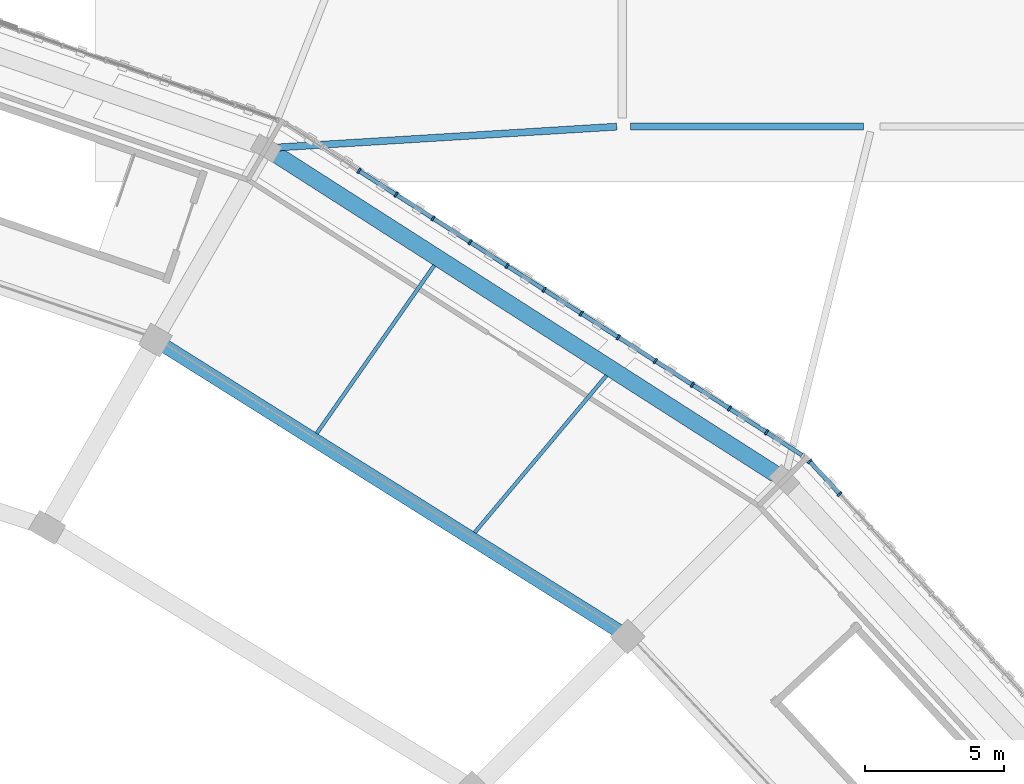
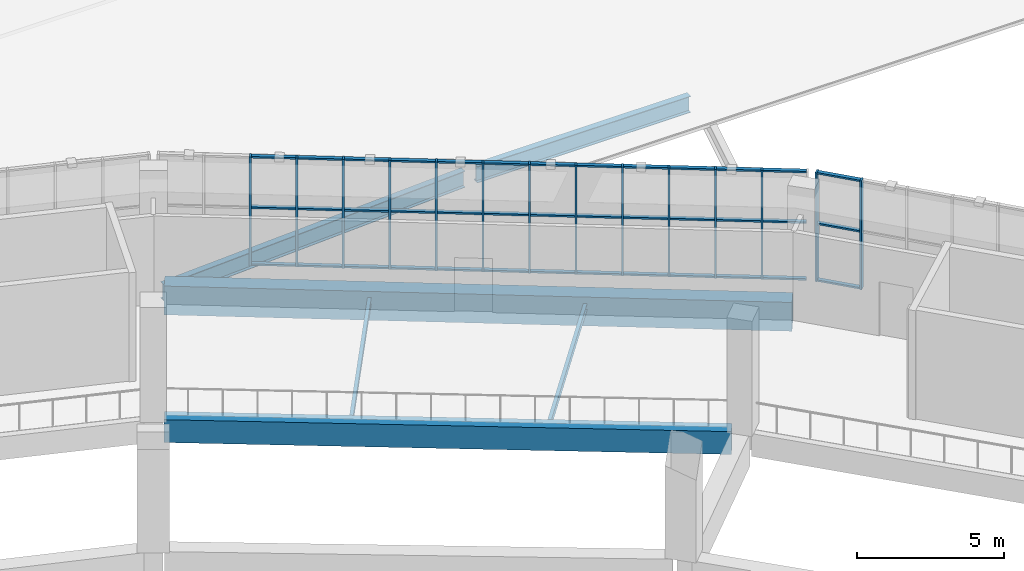
# One storey, part 45 of 108: 53 members, 6 beams, 2 elements without a shape of their own.
"""IFC4 building model written with IfcOpenShell, lengths in metres."""

from ifc_helpers import new_model, si_unit, direction, frame, origin, origin_2d, place, context, subcontext, project, spatial, rectangle, i_section, extrude, material, material_profile, profile_set, type_object, element, aggregate, save


model = new_model("IFC4")

# Units and contexts
model_context = context("Model", 3, precision=1e-05, world=origin(), true_north=direction((0.0, 1.0)))
body_context = subcontext(model_context, "Body", "Model", "MODEL_VIEW")
ifc_project = project(units=[si_unit("LENGTHUNIT", "METRE"), si_unit("AREAUNIT", "SQUARE_METRE"), si_unit("VOLUMEUNIT", "CUBIC_METRE"), si_unit("PLANEANGLEUNIT", "RADIAN"), si_unit("MASSUNIT", "GRAM", prefix="KILO")], contexts=[model_context])

# Site, building, storey
site_placement = place(None, origin())
site = spatial("IfcSite", under=ifc_project, at=site_placement, CompositionType="ELEMENT")
building_placement = place(site_placement, origin())
building = spatial("IfcBuilding", under=site, at=building_placement, Name="Zevraka Park Crest Stadium", CompositionType="ELEMENT")
storey_placement = place(building_placement, frame((0.0, 0.0, 19.800048828125)))
storey = spatial("IfcBuildingStorey", under=building, at=storey_placement, Name="L04", CompositionType="ELEMENT", Elevation=19.800048828125)

# Beams
ifc_material_1 = material(Name="Steel S355", Category="steel")
ifc_material_profile_1 = material_profile(ifc_material_1, i_section(OverallWidth=0.253662109375, OverallDepth=0.68359375, WebThickness=0.012451171875, FlangeThickness=0.01904296875, at=origin_2d()), Name="UKB 686x254x140")
ifc_profile_set_1 = profile_set([ifc_material_profile_1], Name="Steel S355")
beam_type_1 = type_object("IfcBeamType", Name="BG05", PredefinedType="BEAM", material=ifc_profile_set_1)
beam_1_placement = place(storey_placement, frame((170.300048828125, 158.0, -0.60986328125), z_axis=(1.0, 0.0, 0.0), x_axis=(0.0, 1.0, 0.0)))
element("IfcBeam", 1, at=beam_1_placement, inside=storey, type_object=beam_type_1, Name="Wing Girder BG05 L04-1920/T", PredefinedType="BEAM", context=body_context, shape_type="SweptSolid", body=[
    extrude(i_section(OverallWidth=0.253662109375, OverallDepth=0.68359375, WebThickness=0.012451171875, FlangeThickness=0.01904296875, at=origin_2d()), origin(), (0.0, 0.0, 1.0), 8.39990234375),
])
beam_2_placement = place(storey_placement, frame((169.800048828125, 157.988037109375, -0.60986328125), z_axis=(-0.998122867072, -0.061243303531, 0.0), x_axis=(0.061243303531, -0.998122867072, 0.0)))
element("IfcBeam", 2, at=beam_2_placement, inside=storey, type_object=beam_type_1, Name="Wing Link Girder BG05 L04-19/T", PredefinedType="BEAM", context=body_context, shape_type="SweptSolid", body=[
    extrude(i_section(OverallWidth=0.253662109375, OverallDepth=0.68359375, WebThickness=0.012451171875, FlangeThickness=0.01904296875, at=origin_2d()), origin(), (0.0, 0.0, 1.0), 12.294189453125),
])

# Curtain wall, members
ifc_material_2 = material(Name="Anodised architectural aluminium and laminated safety glass", Category="aluminium")
curtain_wall_type = type_object("IfcCurtainWallType", Name="CW18", PredefinedType="NOTDEFINED", material=ifc_material_2)
curtain_wall_1_placement = place(storey_placement, origin())
curtain_wall_1 = element("IfcCurtainWall", 3, at=curtain_wall_1_placement, inside=storey, type_object=curtain_wall_type, Name="Unitised Ring Curtain Wall CW18 L04-02", PredefinedType="NOTDEFINED")
ifc_material_3 = material(Name="Anodised architectural aluminium", Category="aluminium")
ifc_material_profile_2 = material_profile(ifc_material_3, rectangle(XDim=0.199951171875, YDim=0.070068359375, at=origin_2d()), Name="ALU MULLION 200x70")
ifc_profile_set_2 = profile_set([ifc_material_profile_2], Name="Anodised architectural aluminium")
member_type_1 = type_object("IfcMemberType", Name="CM03", PredefinedType="MULLION", material=ifc_profile_set_2)
member_1_placement = place(storey_placement, frame((177.83984375, 144.734130859375, 0.0), z_axis=(0.0, 0.0, 1.0), x_axis=(-0.736774619932, -0.676138417355, 0.0)))
member_1 = element("IfcMember", 4, at=member_1_placement, type_object=member_type_1, Name="CW18 mullion 13", PredefinedType="MULLION", context=body_context, shape_type="SweptSolid", body=[
    extrude(rectangle(XDim=0.199951171875, YDim=0.070068359375, at=origin_2d()), origin(), (0.0, 0.0, 1.0), 4.5400390625),
])
member_2_placement = place(storey_placement, frame((176.759765625, 145.9111328125, 0.0), z_axis=(0.0, 0.0, 1.0), x_axis=(-0.736774619932, -0.676138417355, 0.0)))
member_2 = element("IfcMember", 5, at=member_2_placement, type_object=member_type_1, Name="CW18 mullion 14", PredefinedType="MULLION", context=body_context, shape_type="SweptSolid", body=[
    extrude(rectangle(XDim=0.199951171875, YDim=0.070068359375, at=origin_2d()), origin(), (0.0, 0.0, 1.0), 4.5400390625),
])

curtain_wall_2_placement = place(storey_placement, origin())
curtain_wall_2 = element("IfcCurtainWall", 6, at=curtain_wall_2_placement, inside=storey, type_object=curtain_wall_type, Name="Unitised Ring Curtain Wall CW18 L04-03", PredefinedType="NOTDEFINED")
member_3_placement = place(storey_placement, frame((175.202392578125, 146.95947265625, 0.0), z_axis=(0.0, 0.0, 1.0), x_axis=(-0.539979944029, -0.841677883781, 0.0)))
member_3 = element("IfcMember", 7, at=member_3_placement, type_object=member_type_1, Name="CW18 mullion 2", PredefinedType="MULLION", context=body_context, shape_type="SweptSolid", body=[
    extrude(rectangle(XDim=0.199951171875, YDim=0.070068359375, at=origin_2d()), origin(), (0.0, 0.0, 1.0), 4.5400390625),
])
member_4_placement = place(storey_placement, frame((173.865478515625, 147.817138671875, 0.0), z_axis=(0.0, 0.0, 1.0), x_axis=(-0.539979944029, -0.841677883781, 0.0)))
member_4 = element("IfcMember", 8, at=member_4_placement, type_object=member_type_1, Name="CW18 mullion 3", PredefinedType="MULLION", context=body_context, shape_type="SweptSolid", body=[
    extrude(rectangle(XDim=0.199951171875, YDim=0.070068359375, at=origin_2d()), origin(), (0.0, 0.0, 1.0), 4.5400390625),
])
member_5_placement = place(storey_placement, frame((172.52880859375, 148.6748046875, 0.0), z_axis=(0.0, 0.0, 1.0), x_axis=(-0.539979944029, -0.841677883781, 0.0)))
member_5 = element("IfcMember", 9, at=member_5_placement, type_object=member_type_1, Name="CW18 mullion 4", PredefinedType="MULLION", context=body_context, shape_type="SweptSolid", body=[
    extrude(rectangle(XDim=0.199951171875, YDim=0.070068359375, at=origin_2d()), origin(), (0.0, 0.0, 1.0), 4.5400390625),
])
member_6_placement = place(storey_placement, frame((171.192138671875, 149.5322265625, 0.0), z_axis=(0.0, 0.0, 1.0), x_axis=(-0.539979944029, -0.841677883781, 0.0)))
member_6 = element("IfcMember", 10, at=member_6_placement, type_object=member_type_1, Name="CW18 mullion 5", PredefinedType="MULLION", context=body_context, shape_type="SweptSolid", body=[
    extrude(rectangle(XDim=0.199951171875, YDim=0.070068359375, at=origin_2d()), origin(), (0.0, 0.0, 1.0), 4.5400390625),
])
member_7_placement = place(storey_placement, frame((169.85546875, 150.389892578125, 0.0), z_axis=(0.0, 0.0, 1.0), x_axis=(-0.539979944029, -0.841677883781, 0.0)))
member_7 = element("IfcMember", 11, at=member_7_placement, type_object=member_type_1, Name="CW18 mullion 6", PredefinedType="MULLION", context=body_context, shape_type="SweptSolid", body=[
    extrude(rectangle(XDim=0.199951171875, YDim=0.070068359375, at=origin_2d()), origin(), (0.0, 0.0, 1.0), 4.5400390625),
])
member_8_placement = place(storey_placement, frame((168.518798828125, 151.247314453125, 0.0), z_axis=(0.0, 0.0, 1.0), x_axis=(-0.539979944029, -0.841677883781, 0.0)))
member_8 = element("IfcMember", 12, at=member_8_placement, type_object=member_type_1, Name="CW18 mullion 7", PredefinedType="MULLION", context=body_context, shape_type="SweptSolid", body=[
    extrude(rectangle(XDim=0.199951171875, YDim=0.070068359375, at=origin_2d()), origin(), (0.0, 0.0, 1.0), 4.5400390625),
])
member_9_placement = place(storey_placement, frame((167.181884765625, 152.10498046875, 0.0), z_axis=(0.0, 0.0, 1.0), x_axis=(-0.539979944029, -0.841677883781, 0.0)))
member_9 = element("IfcMember", 13, at=member_9_placement, type_object=member_type_1, Name="CW18 mullion 8", PredefinedType="MULLION", context=body_context, shape_type="SweptSolid", body=[
    extrude(rectangle(XDim=0.199951171875, YDim=0.070068359375, at=origin_2d()), origin(), (0.0, 0.0, 1.0), 4.5400390625),
])
member_10_placement = place(storey_placement, frame((165.84521484375, 152.962646484375, 0.0), z_axis=(0.0, 0.0, 1.0), x_axis=(-0.539979944029, -0.841677883781, 0.0)))
member_10 = element("IfcMember", 14, at=member_10_placement, type_object=member_type_1, Name="CW18 mullion 9", PredefinedType="MULLION", context=body_context, shape_type="SweptSolid", body=[
    extrude(rectangle(XDim=0.199951171875, YDim=0.070068359375, at=origin_2d()), origin(), (0.0, 0.0, 1.0), 4.5400390625),
])
member_11_placement = place(storey_placement, frame((164.508544921875, 153.820068359375, 0.0), z_axis=(0.0, 0.0, 1.0), x_axis=(-0.539979944029, -0.841677883781, 0.0)))
member_11 = element("IfcMember", 15, at=member_11_placement, type_object=member_type_1, Name="CW18 mullion 10", PredefinedType="MULLION", context=body_context, shape_type="SweptSolid", body=[
    extrude(rectangle(XDim=0.199951171875, YDim=0.070068359375, at=origin_2d()), origin(), (0.0, 0.0, 1.0), 4.5400390625),
])
member_12_placement = place(storey_placement, frame((163.171875, 154.677734375, 0.0), z_axis=(0.0, 0.0, 1.0), x_axis=(-0.539979944029, -0.841677883781, 0.0)))
member_12 = element("IfcMember", 16, at=member_12_placement, type_object=member_type_1, Name="CW18 mullion 11", PredefinedType="MULLION", context=body_context, shape_type="SweptSolid", body=[
    extrude(rectangle(XDim=0.199951171875, YDim=0.070068359375, at=origin_2d()), origin(), (0.0, 0.0, 1.0), 4.5400390625),
])
member_13_placement = place(storey_placement, frame((161.835205078125, 155.535400390625, 0.0), z_axis=(0.0, 0.0, 1.0), x_axis=(-0.539979944029, -0.841677883781, 0.0)))
member_13 = element("IfcMember", 17, at=member_13_placement, type_object=member_type_1, Name="CW18 mullion 12", PredefinedType="MULLION", context=body_context, shape_type="SweptSolid", body=[
    extrude(rectangle(XDim=0.199951171875, YDim=0.070068359375, at=origin_2d()), origin(), (0.0, 0.0, 1.0), 4.5400390625),
])
member_14_placement = place(storey_placement, frame((160.49853515625, 156.392822265625, 0.0), z_axis=(0.0, 0.0, 1.0), x_axis=(-0.539979944029, -0.841677883781, 0.0)))
member_14 = element("IfcMember", 18, at=member_14_placement, type_object=member_type_1, Name="CW18 mullion 13", PredefinedType="MULLION", context=body_context, shape_type="SweptSolid", body=[
    extrude(rectangle(XDim=0.199951171875, YDim=0.070068359375, at=origin_2d()), origin(), (0.0, 0.0, 1.0), 4.5400390625),
])

# Member
ifc_material_4 = material(Name="Anodised architectural aluminium", Category="aluminium")
ifc_material_profile_3 = material_profile(ifc_material_4, rectangle(XDim=0.14990234375, YDim=0.070068359375, at=origin_2d()), Name="ALU TRANSOM 150x70")
ifc_profile_set_3 = profile_set([ifc_material_profile_3], Name="Anodised architectural aluminium")
member_type_2 = type_object("IfcMemberType", Name="CT03", PredefinedType="USERDEFINED", material=ifc_profile_set_3)
member_15_placement = place(storey_placement, frame((177.816162109375, 144.759765625, 0.034912109375), z_axis=(-0.67600681387, 0.736895370864, 0.0), x_axis=(-0.736895370864, -0.67600681387, 0.0)))
member_15 = element("IfcMember", 19, at=member_15_placement, type_object=member_type_2, Name="CW18 transom 13.1", ObjectType="TRANSOM", PredefinedType="USERDEFINED", context=body_context, shape_type="SweptSolid", body=[
    extrude(rectangle(XDim=0.14990234375, YDim=0.070068359375, at=origin_2d()), origin(), (0.0, 0.0, 1.0), 1.527587890625),
])

member_16_placement = place(storey_placement, frame((177.816162109375, 144.759765625, 2.39990234375), z_axis=(-0.67600681387, 0.736895370864, 0.0), x_axis=(-0.736895370864, -0.67600681387, 0.0)))
member_16 = element("IfcMember", 20, at=member_16_placement, type_object=member_type_2, Name="CW18 transom 13.2", ObjectType="TRANSOM", PredefinedType="USERDEFINED", context=body_context, shape_type="SweptSolid", body=[
    extrude(rectangle(XDim=0.14990234375, YDim=0.070068359375, at=origin_2d()), origin(), (0.0, 0.0, 1.0), 1.527587890625),
])

member_17_placement = place(storey_placement, frame((177.816162109375, 144.759765625, 4.5048828125), z_axis=(-0.67600681387, 0.736895370864, 0.0), x_axis=(-0.736895370864, -0.67600681387, 0.0)))
member_17 = element("IfcMember", 21, at=member_17_placement, type_object=member_type_2, Name="CW18 transom 13.3", ObjectType="TRANSOM", PredefinedType="USERDEFINED", context=body_context, shape_type="SweptSolid", body=[
    extrude(rectangle(XDim=0.14990234375, YDim=0.070068359375, at=origin_2d()), origin(), (0.0, 0.0, 1.0), 1.527587890625),
])

aggregate(curtain_wall_1, [member_1, member_2, member_15, member_16, member_17])

member_18_placement = place(storey_placement, frame((176.47998046875, 146.139892578125, 0.034912109375), z_axis=(-0.84169690548, 0.539950293365, 0.0), x_axis=(-0.539950293365, -0.84169690548, 0.0)))
member_18 = element("IfcMember", 22, at=member_18_placement, type_object=member_type_2, Name="CW18 transom 1.1", ObjectType="TRANSOM", PredefinedType="USERDEFINED", context=body_context, shape_type="SweptSolid", body=[
    extrude(rectangle(XDim=0.14990234375, YDim=0.070068359375, at=origin_2d()), origin(), (0.0, 0.0, 1.0), 1.483154296875),
])

member_19_placement = place(storey_placement, frame((176.47998046875, 146.139892578125, 2.39990234375), z_axis=(-0.84169690548, 0.539950293365, 0.0), x_axis=(-0.539950293365, -0.84169690548, 0.0)))
member_19 = element("IfcMember", 23, at=member_19_placement, type_object=member_type_2, Name="CW18 transom 1.2", ObjectType="TRANSOM", PredefinedType="USERDEFINED", context=body_context, shape_type="SweptSolid", body=[
    extrude(rectangle(XDim=0.14990234375, YDim=0.070068359375, at=origin_2d()), origin(), (0.0, 0.0, 1.0), 1.483154296875),
])

member_20_placement = place(storey_placement, frame((176.47998046875, 146.139892578125, 4.5048828125), z_axis=(-0.84169690548, 0.539950293365, 0.0), x_axis=(-0.539950293365, -0.84169690548, 0.0)))
member_20 = element("IfcMember", 24, at=member_20_placement, type_object=member_type_2, Name="CW18 transom 1.3", ObjectType="TRANSOM", PredefinedType="USERDEFINED", context=body_context, shape_type="SweptSolid", body=[
    extrude(rectangle(XDim=0.14990234375, YDim=0.070068359375, at=origin_2d()), origin(), (0.0, 0.0, 1.0), 1.483154296875),
])

member_21_placement = place(storey_placement, frame((175.1728515625, 146.978515625, 0.034912109375), z_axis=(-0.841669260565, 0.539993384978, 0.0), x_axis=(-0.539993384978, -0.841669260565, 0.0)))
member_21 = element("IfcMember", 25, at=member_21_placement, type_object=member_type_2, Name="CW18 transom 2.1", ObjectType="TRANSOM", PredefinedType="USERDEFINED", context=body_context, shape_type="SweptSolid", body=[
    extrude(rectangle(XDim=0.14990234375, YDim=0.070068359375, at=origin_2d()), origin(), (0.0, 0.0, 1.0), 1.518310546875),
])

member_22_placement = place(storey_placement, frame((175.1728515625, 146.978515625, 2.39990234375), z_axis=(-0.841669260565, 0.539993384978, 0.0), x_axis=(-0.539993384978, -0.841669260565, 0.0)))
member_22 = element("IfcMember", 26, at=member_22_placement, type_object=member_type_2, Name="CW18 transom 2.2", ObjectType="TRANSOM", PredefinedType="USERDEFINED", context=body_context, shape_type="SweptSolid", body=[
    extrude(rectangle(XDim=0.14990234375, YDim=0.070068359375, at=origin_2d()), origin(), (0.0, 0.0, 1.0), 1.518310546875),
])

member_23_placement = place(storey_placement, frame((175.1728515625, 146.978515625, 4.5048828125), z_axis=(-0.841669260565, 0.539993384978, 0.0), x_axis=(-0.539993384978, -0.841669260565, 0.0)))
member_23 = element("IfcMember", 27, at=member_23_placement, type_object=member_type_2, Name="CW18 transom 2.3", ObjectType="TRANSOM", PredefinedType="USERDEFINED", context=body_context, shape_type="SweptSolid", body=[
    extrude(rectangle(XDim=0.14990234375, YDim=0.070068359375, at=origin_2d()), origin(), (0.0, 0.0, 1.0), 1.518310546875),
])

member_24_placement = place(storey_placement, frame((173.836181640625, 147.8359375, 0.034912109375), z_axis=(-0.841669260565, 0.539993384978, 0.0), x_axis=(-0.539993384978, -0.841669260565, 0.0)))
member_24 = element("IfcMember", 28, at=member_24_placement, type_object=member_type_2, Name="CW18 transom 3.1", ObjectType="TRANSOM", PredefinedType="USERDEFINED", context=body_context, shape_type="SweptSolid", body=[
    extrude(rectangle(XDim=0.14990234375, YDim=0.070068359375, at=origin_2d()), origin(), (0.0, 0.0, 1.0), 1.518310546875),
])

member_25_placement = place(storey_placement, frame((173.836181640625, 147.8359375, 2.39990234375), z_axis=(-0.841669260565, 0.539993384978, 0.0), x_axis=(-0.539993384978, -0.841669260565, 0.0)))
member_25 = element("IfcMember", 29, at=member_25_placement, type_object=member_type_2, Name="CW18 transom 3.2", ObjectType="TRANSOM", PredefinedType="USERDEFINED", context=body_context, shape_type="SweptSolid", body=[
    extrude(rectangle(XDim=0.14990234375, YDim=0.070068359375, at=origin_2d()), origin(), (0.0, 0.0, 1.0), 1.518310546875),
])

member_26_placement = place(storey_placement, frame((173.836181640625, 147.8359375, 4.5048828125), z_axis=(-0.841669260565, 0.539993384978, 0.0), x_axis=(-0.539993384978, -0.841669260565, 0.0)))
member_26 = element("IfcMember", 30, at=member_26_placement, type_object=member_type_2, Name="CW18 transom 3.3", ObjectType="TRANSOM", PredefinedType="USERDEFINED", context=body_context, shape_type="SweptSolid", body=[
    extrude(rectangle(XDim=0.14990234375, YDim=0.070068359375, at=origin_2d()), origin(), (0.0, 0.0, 1.0), 1.518310546875),
])

member_27_placement = place(storey_placement, frame((172.49951171875, 148.693603515625, 0.034912109375), z_axis=(-0.841669260565, 0.539993384978, 0.0), x_axis=(-0.539993384978, -0.841669260565, 0.0)))
member_27 = element("IfcMember", 31, at=member_27_placement, type_object=member_type_2, Name="CW18 transom 4.1", ObjectType="TRANSOM", PredefinedType="USERDEFINED", context=body_context, shape_type="SweptSolid", body=[
    extrude(rectangle(XDim=0.14990234375, YDim=0.070068359375, at=origin_2d()), origin(), (0.0, 0.0, 1.0), 1.518310546875),
])

member_28_placement = place(storey_placement, frame((172.49951171875, 148.693603515625, 2.39990234375), z_axis=(-0.841669260565, 0.539993384978, 0.0), x_axis=(-0.539993384978, -0.841669260565, 0.0)))
member_28 = element("IfcMember", 32, at=member_28_placement, type_object=member_type_2, Name="CW18 transom 4.2", ObjectType="TRANSOM", PredefinedType="USERDEFINED", context=body_context, shape_type="SweptSolid", body=[
    extrude(rectangle(XDim=0.14990234375, YDim=0.070068359375, at=origin_2d()), origin(), (0.0, 0.0, 1.0), 1.518310546875),
])

member_29_placement = place(storey_placement, frame((172.49951171875, 148.693603515625, 4.5048828125), z_axis=(-0.841669260565, 0.539993384978, 0.0), x_axis=(-0.539993384978, -0.841669260565, 0.0)))
member_29 = element("IfcMember", 33, at=member_29_placement, type_object=member_type_2, Name="CW18 transom 4.3", ObjectType="TRANSOM", PredefinedType="USERDEFINED", context=body_context, shape_type="SweptSolid", body=[
    extrude(rectangle(XDim=0.14990234375, YDim=0.070068359375, at=origin_2d()), origin(), (0.0, 0.0, 1.0), 1.518310546875),
])

member_30_placement = place(storey_placement, frame((171.16259765625, 149.55126953125, 0.034912109375), z_axis=(-0.841742345783, 0.539879452578, 0.0), x_axis=(-0.539879452578, -0.841742345783, 0.0)))
member_30 = element("IfcMember", 34, at=member_30_placement, type_object=member_type_2, Name="CW18 transom 5.1", ObjectType="TRANSOM", PredefinedType="USERDEFINED", context=body_context, shape_type="SweptSolid", body=[
    extrude(rectangle(XDim=0.14990234375, YDim=0.070068359375, at=origin_2d()), origin(), (0.0, 0.0, 1.0), 1.51806640625),
])

member_31_placement = place(storey_placement, frame((171.16259765625, 149.55126953125, 2.39990234375), z_axis=(-0.841742345783, 0.539879452578, 0.0), x_axis=(-0.539879452578, -0.841742345783, 0.0)))
member_31 = element("IfcMember", 35, at=member_31_placement, type_object=member_type_2, Name="CW18 transom 5.2", ObjectType="TRANSOM", PredefinedType="USERDEFINED", context=body_context, shape_type="SweptSolid", body=[
    extrude(rectangle(XDim=0.14990234375, YDim=0.070068359375, at=origin_2d()), origin(), (0.0, 0.0, 1.0), 1.51806640625),
])

member_32_placement = place(storey_placement, frame((171.16259765625, 149.55126953125, 4.5048828125), z_axis=(-0.841742345783, 0.539879452578, 0.0), x_axis=(-0.539879452578, -0.841742345783, 0.0)))
member_32 = element("IfcMember", 36, at=member_32_placement, type_object=member_type_2, Name="CW18 transom 5.3", ObjectType="TRANSOM", PredefinedType="USERDEFINED", context=body_context, shape_type="SweptSolid", body=[
    extrude(rectangle(XDim=0.14990234375, YDim=0.070068359375, at=origin_2d()), origin(), (0.0, 0.0, 1.0), 1.51806640625),
])

member_33_placement = place(storey_placement, frame((169.825927734375, 150.40869140625, 0.034912109375), z_axis=(-0.841669260565, 0.539993384978, 0.0), x_axis=(-0.539993384978, -0.841669260565, 0.0)))
member_33 = element("IfcMember", 37, at=member_33_placement, type_object=member_type_2, Name="CW18 transom 6.1", ObjectType="TRANSOM", PredefinedType="USERDEFINED", context=body_context, shape_type="SweptSolid", body=[
    extrude(rectangle(XDim=0.14990234375, YDim=0.070068359375, at=origin_2d()), origin(), (0.0, 0.0, 1.0), 1.518310546875),
])

member_34_placement = place(storey_placement, frame((169.825927734375, 150.40869140625, 2.39990234375), z_axis=(-0.841669260565, 0.539993384978, 0.0), x_axis=(-0.539993384978, -0.841669260565, 0.0)))
member_34 = element("IfcMember", 38, at=member_34_placement, type_object=member_type_2, Name="CW18 transom 6.2", ObjectType="TRANSOM", PredefinedType="USERDEFINED", context=body_context, shape_type="SweptSolid", body=[
    extrude(rectangle(XDim=0.14990234375, YDim=0.070068359375, at=origin_2d()), origin(), (0.0, 0.0, 1.0), 1.518310546875),
])

member_35_placement = place(storey_placement, frame((169.825927734375, 150.40869140625, 4.5048828125), z_axis=(-0.841669260565, 0.539993384978, 0.0), x_axis=(-0.539993384978, -0.841669260565, 0.0)))
member_35 = element("IfcMember", 39, at=member_35_placement, type_object=member_type_2, Name="CW18 transom 6.3", ObjectType="TRANSOM", PredefinedType="USERDEFINED", context=body_context, shape_type="SweptSolid", body=[
    extrude(rectangle(XDim=0.14990234375, YDim=0.070068359375, at=origin_2d()), origin(), (0.0, 0.0, 1.0), 1.518310546875),
])

member_36_placement = place(storey_placement, frame((168.4892578125, 151.266357421875, 0.034912109375), z_axis=(-0.841669260565, 0.539993384978, 0.0), x_axis=(-0.539993384978, -0.841669260565, 0.0)))
member_36 = element("IfcMember", 40, at=member_36_placement, type_object=member_type_2, Name="CW18 transom 7.1", ObjectType="TRANSOM", PredefinedType="USERDEFINED", context=body_context, shape_type="SweptSolid", body=[
    extrude(rectangle(XDim=0.14990234375, YDim=0.070068359375, at=origin_2d()), origin(), (0.0, 0.0, 1.0), 1.518310546875),
])

member_37_placement = place(storey_placement, frame((168.4892578125, 151.266357421875, 2.39990234375), z_axis=(-0.841669260565, 0.539993384978, 0.0), x_axis=(-0.539993384978, -0.841669260565, 0.0)))
member_37 = element("IfcMember", 41, at=member_37_placement, type_object=member_type_2, Name="CW18 transom 7.2", ObjectType="TRANSOM", PredefinedType="USERDEFINED", context=body_context, shape_type="SweptSolid", body=[
    extrude(rectangle(XDim=0.14990234375, YDim=0.070068359375, at=origin_2d()), origin(), (0.0, 0.0, 1.0), 1.518310546875),
])

member_38_placement = place(storey_placement, frame((168.4892578125, 151.266357421875, 4.5048828125), z_axis=(-0.841669260565, 0.539993384978, 0.0), x_axis=(-0.539993384978, -0.841669260565, 0.0)))
member_38 = element("IfcMember", 42, at=member_38_placement, type_object=member_type_2, Name="CW18 transom 7.3", ObjectType="TRANSOM", PredefinedType="USERDEFINED", context=body_context, shape_type="SweptSolid", body=[
    extrude(rectangle(XDim=0.14990234375, YDim=0.070068359375, at=origin_2d()), origin(), (0.0, 0.0, 1.0), 1.518310546875),
])

member_39_placement = place(storey_placement, frame((167.152587890625, 152.123779296875, 0.034912109375), z_axis=(-0.841669260565, 0.539993384978, 0.0), x_axis=(-0.539993384978, -0.841669260565, 0.0)))
member_39 = element("IfcMember", 43, at=member_39_placement, type_object=member_type_2, Name="CW18 transom 8.1", ObjectType="TRANSOM", PredefinedType="USERDEFINED", context=body_context, shape_type="SweptSolid", body=[
    extrude(rectangle(XDim=0.14990234375, YDim=0.070068359375, at=origin_2d()), origin(), (0.0, 0.0, 1.0), 1.518310546875),
])

member_40_placement = place(storey_placement, frame((167.152587890625, 152.123779296875, 2.39990234375), z_axis=(-0.841669260565, 0.539993384978, 0.0), x_axis=(-0.539993384978, -0.841669260565, 0.0)))
member_40 = element("IfcMember", 44, at=member_40_placement, type_object=member_type_2, Name="CW18 transom 8.2", ObjectType="TRANSOM", PredefinedType="USERDEFINED", context=body_context, shape_type="SweptSolid", body=[
    extrude(rectangle(XDim=0.14990234375, YDim=0.070068359375, at=origin_2d()), origin(), (0.0, 0.0, 1.0), 1.518310546875),
])

member_41_placement = place(storey_placement, frame((167.152587890625, 152.123779296875, 4.5048828125), z_axis=(-0.841669260565, 0.539993384978, 0.0), x_axis=(-0.539993384978, -0.841669260565, 0.0)))
member_41 = element("IfcMember", 45, at=member_41_placement, type_object=member_type_2, Name="CW18 transom 8.3", ObjectType="TRANSOM", PredefinedType="USERDEFINED", context=body_context, shape_type="SweptSolid", body=[
    extrude(rectangle(XDim=0.14990234375, YDim=0.070068359375, at=origin_2d()), origin(), (0.0, 0.0, 1.0), 1.518310546875),
])

member_42_placement = place(storey_placement, frame((165.81591796875, 152.9814453125, 0.034912109375), z_axis=(-0.841669260565, 0.539993384978, 0.0), x_axis=(-0.539993384978, -0.841669260565, 0.0)))
member_42 = element("IfcMember", 46, at=member_42_placement, type_object=member_type_2, Name="CW18 transom 9.1", ObjectType="TRANSOM", PredefinedType="USERDEFINED", context=body_context, shape_type="SweptSolid", body=[
    extrude(rectangle(XDim=0.14990234375, YDim=0.070068359375, at=origin_2d()), origin(), (0.0, 0.0, 1.0), 1.518310546875),
])

member_43_placement = place(storey_placement, frame((165.81591796875, 152.9814453125, 2.39990234375), z_axis=(-0.841669260565, 0.539993384978, 0.0), x_axis=(-0.539993384978, -0.841669260565, 0.0)))
member_43 = element("IfcMember", 47, at=member_43_placement, type_object=member_type_2, Name="CW18 transom 9.2", ObjectType="TRANSOM", PredefinedType="USERDEFINED", context=body_context, shape_type="SweptSolid", body=[
    extrude(rectangle(XDim=0.14990234375, YDim=0.070068359375, at=origin_2d()), origin(), (0.0, 0.0, 1.0), 1.518310546875),
])

member_44_placement = place(storey_placement, frame((165.81591796875, 152.9814453125, 4.5048828125), z_axis=(-0.841669260565, 0.539993384978, 0.0), x_axis=(-0.539993384978, -0.841669260565, 0.0)))
member_44 = element("IfcMember", 48, at=member_44_placement, type_object=member_type_2, Name="CW18 transom 9.3", ObjectType="TRANSOM", PredefinedType="USERDEFINED", context=body_context, shape_type="SweptSolid", body=[
    extrude(rectangle(XDim=0.14990234375, YDim=0.070068359375, at=origin_2d()), origin(), (0.0, 0.0, 1.0), 1.518310546875),
])

member_45_placement = place(storey_placement, frame((164.47900390625, 153.839111328125, 0.034912109375), z_axis=(-0.841622360569, 0.540066479417, 0.0), x_axis=(-0.540066479417, -0.841622360569, 0.0)))
member_45 = element("IfcMember", 49, at=member_45_placement, type_object=member_type_2, Name="CW18 transom 10.1", ObjectType="TRANSOM", PredefinedType="USERDEFINED", context=body_context, shape_type="SweptSolid", body=[
    extrude(rectangle(XDim=0.14990234375, YDim=0.070068359375, at=origin_2d()), origin(), (0.0, 0.0, 1.0), 1.51806640625),
])

member_46_placement = place(storey_placement, frame((164.47900390625, 153.839111328125, 2.39990234375), z_axis=(-0.841622360569, 0.540066479417, 0.0), x_axis=(-0.540066479417, -0.841622360569, 0.0)))
member_46 = element("IfcMember", 50, at=member_46_placement, type_object=member_type_2, Name="CW18 transom 10.2", ObjectType="TRANSOM", PredefinedType="USERDEFINED", context=body_context, shape_type="SweptSolid", body=[
    extrude(rectangle(XDim=0.14990234375, YDim=0.070068359375, at=origin_2d()), origin(), (0.0, 0.0, 1.0), 1.51806640625),
])

member_47_placement = place(storey_placement, frame((164.47900390625, 153.839111328125, 4.5048828125), z_axis=(-0.841622360569, 0.540066479417, 0.0), x_axis=(-0.540066479417, -0.841622360569, 0.0)))
member_47 = element("IfcMember", 51, at=member_47_placement, type_object=member_type_2, Name="CW18 transom 10.3", ObjectType="TRANSOM", PredefinedType="USERDEFINED", context=body_context, shape_type="SweptSolid", body=[
    extrude(rectangle(XDim=0.14990234375, YDim=0.070068359375, at=origin_2d()), origin(), (0.0, 0.0, 1.0), 1.51806640625),
])

member_48_placement = place(storey_placement, frame((163.142333984375, 154.696533203125, 0.034912109375), z_axis=(-0.841669260565, 0.539993384978, 0.0), x_axis=(-0.539993384978, -0.841669260565, 0.0)))
member_48 = element("IfcMember", 52, at=member_48_placement, type_object=member_type_2, Name="CW18 transom 11.1", ObjectType="TRANSOM", PredefinedType="USERDEFINED", context=body_context, shape_type="SweptSolid", body=[
    extrude(rectangle(XDim=0.14990234375, YDim=0.070068359375, at=origin_2d()), origin(), (0.0, 0.0, 1.0), 1.518310546875),
])

member_49_placement = place(storey_placement, frame((163.142333984375, 154.696533203125, 2.39990234375), z_axis=(-0.841669260565, 0.539993384978, 0.0), x_axis=(-0.539993384978, -0.841669260565, 0.0)))
member_49 = element("IfcMember", 53, at=member_49_placement, type_object=member_type_2, Name="CW18 transom 11.2", ObjectType="TRANSOM", PredefinedType="USERDEFINED", context=body_context, shape_type="SweptSolid", body=[
    extrude(rectangle(XDim=0.14990234375, YDim=0.070068359375, at=origin_2d()), origin(), (0.0, 0.0, 1.0), 1.518310546875),
])

member_50_placement = place(storey_placement, frame((163.142333984375, 154.696533203125, 4.5048828125), z_axis=(-0.841669260565, 0.539993384978, 0.0), x_axis=(-0.539993384978, -0.841669260565, 0.0)))
member_50 = element("IfcMember", 54, at=member_50_placement, type_object=member_type_2, Name="CW18 transom 11.3", ObjectType="TRANSOM", PredefinedType="USERDEFINED", context=body_context, shape_type="SweptSolid", body=[
    extrude(rectangle(XDim=0.14990234375, YDim=0.070068359375, at=origin_2d()), origin(), (0.0, 0.0, 1.0), 1.518310546875),
])

member_51_placement = place(storey_placement, frame((161.8056640625, 155.55419921875, 0.034912109375), z_axis=(-0.841669260565, 0.539993384978, 0.0), x_axis=(-0.539993384978, -0.841669260565, 0.0)))
member_51 = element("IfcMember", 55, at=member_51_placement, type_object=member_type_2, Name="CW18 transom 12.1", ObjectType="TRANSOM", PredefinedType="USERDEFINED", context=body_context, shape_type="SweptSolid", body=[
    extrude(rectangle(XDim=0.14990234375, YDim=0.070068359375, at=origin_2d()), origin(), (0.0, 0.0, 1.0), 1.518310546875),
])

member_52_placement = place(storey_placement, frame((161.8056640625, 155.55419921875, 2.39990234375), z_axis=(-0.841669260565, 0.539993384978, 0.0), x_axis=(-0.539993384978, -0.841669260565, 0.0)))
member_52 = element("IfcMember", 56, at=member_52_placement, type_object=member_type_2, Name="CW18 transom 12.2", ObjectType="TRANSOM", PredefinedType="USERDEFINED", context=body_context, shape_type="SweptSolid", body=[
    extrude(rectangle(XDim=0.14990234375, YDim=0.070068359375, at=origin_2d()), origin(), (0.0, 0.0, 1.0), 1.518310546875),
])

member_53_placement = place(storey_placement, frame((161.8056640625, 155.55419921875, 4.5048828125), z_axis=(-0.841669260565, 0.539993384978, 0.0), x_axis=(-0.539993384978, -0.841669260565, 0.0)))
member_53 = element("IfcMember", 57, at=member_53_placement, type_object=member_type_2, Name="CW18 transom 12.3", ObjectType="TRANSOM", PredefinedType="USERDEFINED", context=body_context, shape_type="SweptSolid", body=[
    extrude(rectangle(XDim=0.14990234375, YDim=0.070068359375, at=origin_2d()), origin(), (0.0, 0.0, 1.0), 1.518310546875),
])

aggregate(curtain_wall_2, [member_3, member_4, member_5, member_6, member_7, member_8, member_9, member_10, member_11, member_12, member_13, member_14, member_18, member_19, member_20, member_21, member_22, member_23, member_24, member_25, member_26, member_27, member_28, member_29, member_30, member_31, member_32, member_33, member_34, member_35, member_36, member_37, member_38, member_39, member_40, member_41, member_42, member_43, member_44, member_45, member_46, member_47, member_48, member_49, member_50, member_51, member_52, member_53])

# Beams
ifc_material_5 = material(Name="Concrete C40/50", Category="concrete")
ifc_material_profile_4 = material_profile(ifc_material_5, rectangle(XDim=0.60009765625, YDim=1.199951171875, at=origin_2d()), Name="RC 1200x600")
ifc_profile_set_4 = profile_set([ifc_material_profile_4], Name="Concrete C40/50")
beam_type_2 = type_object("IfcBeamType", Name="RB01", PredefinedType="BEAM", material=ifc_profile_set_4)
beam_3_placement = place(storey_placement, frame((175.531982421875, 145.449951171875, -0.610107421875), z_axis=(-0.842325571453, 0.538969045193, 0.0), x_axis=(-0.538969045193, -0.842325571453, 0.0)))
element("IfcBeam", 58, at=beam_3_placement, inside=storey, type_object=beam_type_2, Name="Ring Beam RB01 L04-D-03", PredefinedType="BEAM", context=body_context, shape_type="SweptSolid", body=[
    extrude(rectangle(XDim=0.60009765625, YDim=1.199951171875, at=origin_2d()), origin(), (0.0, 0.0, 1.0), 21.443115234375),
])
ifc_material_6 = material(Name="Concrete C40/50", Category="concrete")
ifc_material_profile_5 = material_profile(ifc_material_6, rectangle(XDim=0.5, YDim=0.949951171875, at=origin_2d()), Name="RC 950x500")
ifc_profile_set_5 = profile_set([ifc_material_profile_5], Name="Concrete C40/50")
beam_type_3 = type_object("IfcBeamType", Name="RB02", PredefinedType="BEAM", material=ifc_profile_set_5)
beam_4_placement = place(storey_placement, frame((169.873046875, 139.7900390625, -0.485107421875), z_axis=(-0.847038516183, 0.531531515625, 0.0), x_axis=(-0.531531515625, -0.847038516183, 0.0)))
element("IfcBeam", 59, at=beam_4_placement, inside=storey, type_object=beam_type_3, Name="Ring Beam RB02 L04-C-03", PredefinedType="BEAM", context=body_context, shape_type="SweptSolid", body=[
    extrude(rectangle(XDim=0.5, YDim=0.949951171875, at=origin_2d()), origin(), (0.0, 0.0, 1.0), 19.36279296875),
])
ifc_material_7 = material(Name="Steel S355", Category="steel")
ifc_material_profile_6 = material_profile(ifc_material_7, i_section(OverallWidth=0.135009765625, OverallDepth=0.27001953125, WebThickness=0.006591796875, FlangeThickness=0.01025390625, at=origin_2d()), Name="IPE 270")
ifc_profile_set_6 = profile_set([ifc_material_profile_6], Name="Steel S355")
beam_type_4 = type_object("IfcBeamType", Name="SJ07", PredefinedType="JOIST", material=ifc_profile_set_6)
beam_5_placement = place(storey_placement, frame((164.6708984375, 143.341064453125, -0.403076171875), z_axis=(0.642939005042, 0.765917381834, 0.0), x_axis=(-0.765917381834, 0.642939005042, 0.0)))
element("IfcBeam", 60, at=beam_5_placement, inside=storey, type_object=beam_type_4, Name="Floor Joist SJ07 L04-CD-03-1", PredefinedType="JOIST", context=body_context, shape_type="SweptSolid", body=[
    extrude(i_section(OverallWidth=0.135009765625, OverallDepth=0.27001953125, WebThickness=0.006591796875, FlangeThickness=0.01025390625, at=origin_2d()), origin(), (0.0, 0.0, 1.0), 7.39892578125),
])
beam_6_placement = place(storey_placement, frame((158.971923828125, 146.9189453125, -0.403076171875), z_axis=(0.573440200357, 0.819247420878, 0.0), x_axis=(-0.819247420878, 0.573440200357, 0.0)))
element("IfcBeam", 61, at=beam_6_placement, inside=storey, type_object=beam_type_4, Name="Floor Joist SJ07 L04-CD-03-2", PredefinedType="JOIST", context=body_context, shape_type="SweptSolid", body=[
    extrude(i_section(OverallWidth=0.135009765625, OverallDepth=0.27001953125, WebThickness=0.006591796875, FlangeThickness=0.01025390625, at=origin_2d()), origin(), (0.0, 0.0, 1.0), 7.3994140625),
])

save(model, "model.ifc")
